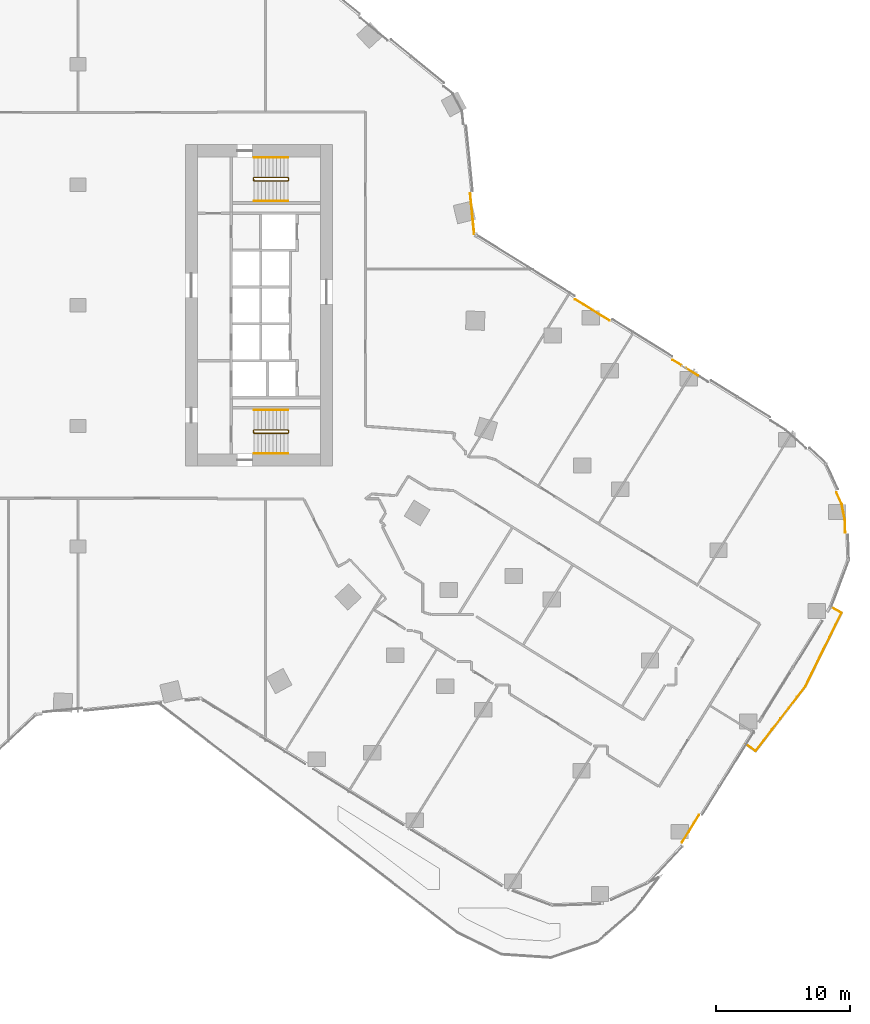
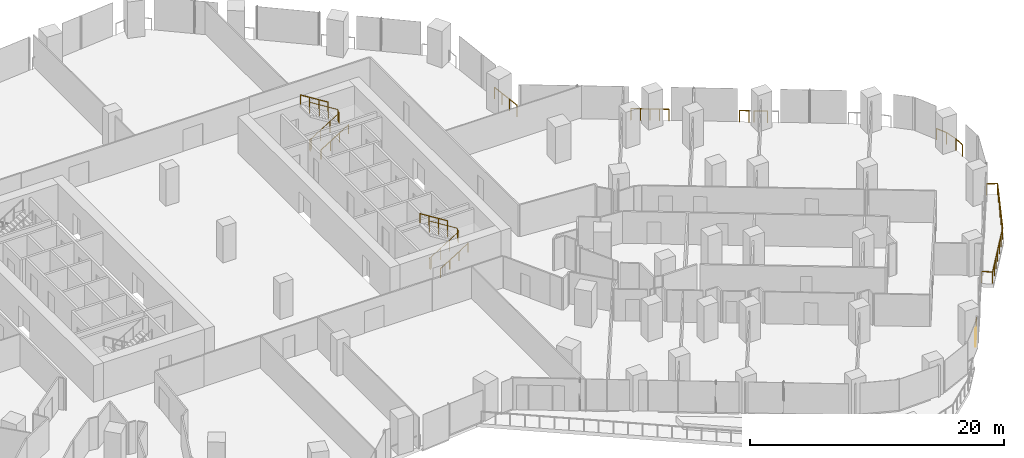
# One storey, part 32 of 34: 15 railings.
"""IFC4 building model written with IfcOpenShell, lengths in metres."""

from ifc_helpers import new_model, si_unit, direction, frame, origin, origin_2d, place, context, subcontext, project, spatial, circle, extrude, material, type_object, element, save


model = new_model("IFC4")

# Units and contexts
model_context = context("Model", 3, precision=1e-05, world=origin(), true_north=direction((0.0, 1.0)))
body_context = subcontext(model_context, "Body", "Model", "MODEL_VIEW")
ifc_project = project(units=[si_unit("LENGTHUNIT", "METRE"), si_unit("AREAUNIT", "SQUARE_METRE"), si_unit("VOLUMEUNIT", "CUBIC_METRE"), si_unit("PLANEANGLEUNIT", "RADIAN"), si_unit("MASSUNIT", "GRAM", prefix="KILO")], contexts=[model_context])

# Site, building, storey
site_placement = place(None, origin())
site = spatial("IfcSite", under=ifc_project, at=site_placement, CompositionType="ELEMENT")
building_placement = place(site_placement, origin())
building = spatial("IfcBuilding", under=site, at=building_placement, Name="Orlundy Tower", CompositionType="ELEMENT")
storey_placement = place(building_placement, frame((0.0, 0.0, 37.300048828125)))
storey = spatial("IfcBuildingStorey", under=building, at=storey_placement, Name="L07", CompositionType="ELEMENT", Elevation=37.300048828125)

# Railings
ifc_material_1 = material(Name="Steel balustrade", Category="steel")
railing_type_1 = type_object("IfcRailingType", Name="Stair Guard 1100", PredefinedType="GUARDRAIL", material=ifc_material_1)
railing_1_placement = place(storey_placement, frame((13.090087890625, -9.5, 0.0)))
element("IfcRailing", 1, at=railing_1_placement, inside=storey, type_object=railing_type_1, Name="L07 ST-E1 stair guard 1", PredefinedType="GUARDRAIL", context=body_context, shape_type="SweptSolid", body=[
    extrude(circle(Radius=0.02392578125, at=origin_2d()), frame((0.0, 0.0, 1.076171875), z_axis=(0.0, 1.0, 0.0), x_axis=(-1.0, 0.0, 0.0)), (0.0, 0.0, 1.0), 0.14990234375),
    extrude(circle(Radius=0.02392578125, at=origin_2d()), frame((0.0, 0.14990234375, 1.076171875), z_axis=(0.18420542264, -0.739530593833, 0.647427882513), x_axis=(0.970351222016, 0.241699205484, 0.0)), (0.0, 0.0, 1.0), 0.270263671875),
    extrude(circle(Radius=0.02392578125, at=origin_2d()), frame((0.0498046875, -0.050048828125, 1.2509765625), z_axis=(0.848007534815, 0.0, 0.529984170421), x_axis=(0.0, 1.0, 0.0)), (0.0, 0.0, 1.0), 2.9716796875),
    extrude(circle(Radius=0.02392578125, at=origin_2d()), frame((2.56982421875, -0.050048828125, 2.826171875), z_axis=(0.707106781187, 0.707106781187, 0.0), x_axis=(-0.707106781187, 0.707106781187, 0.0)), (0.0, 0.0, 1.0), 0.07080078125),
    extrude(circle(Radius=0.02392578125, at=origin_2d()), frame((2.619873046875, 0.0, 2.826171875), z_axis=(0.0, 1.0, 0.0), x_axis=(-1.0, 0.0, 0.0)), (0.0, 0.0, 1.0), 0.14990234375),
    extrude(circle(Radius=0.02392578125, at=origin_2d()), frame((2.619873046875, 0.14990234375, 2.826171875), z_axis=(-0.265065253269, 0.265065253269, 0.927081885822), x_axis=(-0.707106781187, -0.707106781187, 0.0)), (0.0, 0.0, 1.0), 0.188720703125),
    extrude(circle(Radius=0.02392578125, at=origin_2d()), frame((2.56982421875, 0.199951171875, 3.0009765625), z_axis=(-0.848007534815, 0.0, 0.529984170421), x_axis=(0.0, -1.0, 0.0)), (0.0, 0.0, 1.0), 2.9716796875),
    extrude(circle(Radius=0.02099609375, at=origin_2d()), origin(), (0.0, 0.0, 1.0), 1.052001953125),
    extrude(circle(Radius=0.02099609375, at=origin_2d()), frame((0.0, 0.14990234375, 0.0)), (0.0, 0.0, 1.0), 1.052001953125),
    extrude(circle(Radius=0.02099609375, at=origin_2d()), frame((0.0498046875, -0.050048828125, 0.175048828125)), (0.0, 0.0, 1.0), 1.052001953125),
    extrude(circle(Radius=0.02099609375, at=origin_2d()), frame((0.889892578125, -0.050048828125, 0.699951171875)), (0.0, 0.0, 1.0), 1.052001953125),
    extrude(circle(Radius=0.02099609375, at=origin_2d()), frame((1.729736328125, -0.050048828125, 1.22509765625)), (0.0, 0.0, 1.0), 1.052001953125),
    extrude(circle(Radius=0.02099609375, at=origin_2d()), frame((2.56982421875, -0.050048828125, 1.75)), (0.0, 0.0, 1.0), 1.052001953125),
    extrude(circle(Radius=0.02099609375, at=origin_2d()), frame((2.619873046875, 0.0, 1.75)), (0.0, 0.0, 1.0), 1.052001953125),
    extrude(circle(Radius=0.02099609375, at=origin_2d()), frame((2.619873046875, 0.14990234375, 1.75)), (0.0, 0.0, 1.0), 1.052001953125),
    extrude(circle(Radius=0.02099609375, at=origin_2d()), frame((2.56982421875, 0.199951171875, 1.925048828125)), (0.0, 0.0, 1.0), 1.052001953125),
    extrude(circle(Radius=0.02099609375, at=origin_2d()), frame((1.729736328125, 0.199951171875, 2.449951171875)), (0.0, 0.0, 1.0), 1.052001953125),
    extrude(circle(Radius=0.02099609375, at=origin_2d()), frame((0.889892578125, 0.199951171875, 2.97509765625)), (0.0, 0.0, 1.0), 1.052001953125),
    extrude(circle(Radius=0.02099609375, at=origin_2d()), frame((0.0498046875, 0.199951171875, 3.5)), (0.0, 0.0, 1.0), 1.052001953125),
])
railing_2_placement = place(storey_placement, frame((13.090087890625, 9.35009765625, 0.0)))
element("IfcRailing", 2, at=railing_2_placement, inside=storey, type_object=railing_type_1, Name="L07 ST-E2 stair guard 1", PredefinedType="GUARDRAIL", context=body_context, shape_type="SweptSolid", body=[
    extrude(circle(Radius=0.02392578125, at=origin_2d()), frame((0.0, 0.0, 1.076171875), z_axis=(0.0, 1.0, 0.0), x_axis=(-1.0, 0.0, 0.0)), (0.0, 0.0, 1.0), 0.14990234375),
    extrude(circle(Radius=0.02392578125, at=origin_2d()), frame((0.0, 0.14990234375, 1.076171875), z_axis=(0.18420542264, -0.739530593833, 0.647427882513), x_axis=(0.970351222016, 0.241699205484, 0.0)), (0.0, 0.0, 1.0), 0.270263671875),
    extrude(circle(Radius=0.02392578125, at=origin_2d()), frame((0.0498046875, -0.050048828125, 1.2509765625), z_axis=(0.848007534815, 0.0, 0.529984170421), x_axis=(0.0, 1.0, 0.0)), (0.0, 0.0, 1.0), 2.9716796875),
    extrude(circle(Radius=0.02392578125, at=origin_2d()), frame((2.56982421875, -0.050048828125, 2.826171875), z_axis=(0.707106781187, 0.707106781187, 0.0), x_axis=(-0.707106781187, 0.707106781187, 0.0)), (0.0, 0.0, 1.0), 0.07080078125),
    extrude(circle(Radius=0.02392578125, at=origin_2d()), frame((2.619873046875, 0.0, 2.826171875), z_axis=(0.0, 1.0, 0.0), x_axis=(-1.0, 0.0, 0.0)), (0.0, 0.0, 1.0), 0.14990234375),
    extrude(circle(Radius=0.02392578125, at=origin_2d()), frame((2.619873046875, 0.14990234375, 2.826171875), z_axis=(-0.265065253269, 0.265065253269, 0.927081885822), x_axis=(-0.707106781187, -0.707106781187, 0.0)), (0.0, 0.0, 1.0), 0.188720703125),
    extrude(circle(Radius=0.02392578125, at=origin_2d()), frame((2.56982421875, 0.199951171875, 3.0009765625), z_axis=(-0.848007534815, 0.0, 0.529984170421), x_axis=(0.0, -1.0, 0.0)), (0.0, 0.0, 1.0), 2.9716796875),
    extrude(circle(Radius=0.02099609375, at=origin_2d()), origin(), (0.0, 0.0, 1.0), 1.052001953125),
    extrude(circle(Radius=0.02099609375, at=origin_2d()), frame((0.0, 0.14990234375, 0.0)), (0.0, 0.0, 1.0), 1.052001953125),
    extrude(circle(Radius=0.02099609375, at=origin_2d()), frame((0.0498046875, -0.050048828125, 0.175048828125)), (0.0, 0.0, 1.0), 1.052001953125),
    extrude(circle(Radius=0.02099609375, at=origin_2d()), frame((0.889892578125, -0.050048828125, 0.699951171875)), (0.0, 0.0, 1.0), 1.052001953125),
    extrude(circle(Radius=0.02099609375, at=origin_2d()), frame((1.729736328125, -0.050048828125, 1.22509765625)), (0.0, 0.0, 1.0), 1.052001953125),
    extrude(circle(Radius=0.02099609375, at=origin_2d()), frame((2.56982421875, -0.050048828125, 1.75)), (0.0, 0.0, 1.0), 1.052001953125),
    extrude(circle(Radius=0.02099609375, at=origin_2d()), frame((2.619873046875, 0.0, 1.75)), (0.0, 0.0, 1.0), 1.052001953125),
    extrude(circle(Radius=0.02099609375, at=origin_2d()), frame((2.619873046875, 0.14990234375, 1.75)), (0.0, 0.0, 1.0), 1.052001953125),
    extrude(circle(Radius=0.02099609375, at=origin_2d()), frame((2.56982421875, 0.199951171875, 1.925048828125)), (0.0, 0.0, 1.0), 1.052001953125),
    extrude(circle(Radius=0.02099609375, at=origin_2d()), frame((1.729736328125, 0.199951171875, 2.449951171875)), (0.0, 0.0, 1.0), 1.052001953125),
    extrude(circle(Radius=0.02099609375, at=origin_2d()), frame((0.889892578125, 0.199951171875, 2.97509765625)), (0.0, 0.0, 1.0), 1.052001953125),
    extrude(circle(Radius=0.02099609375, at=origin_2d()), frame((0.0498046875, 0.199951171875, 3.5)), (0.0, 0.0, 1.0), 1.052001953125),
])
ifc_material_2 = material(Name="Steel handrail", Category="steel")
railing_type_2 = type_object("IfcRailingType", Name="Stair Handrail 900", PredefinedType="HANDRAIL", material=ifc_material_2)
railing_3_placement = place(storey_placement, frame((13.139892578125, -11.050048828125, 0.175048828125)))
element("IfcRailing", 3, at=railing_3_placement, inside=storey, type_object=railing_type_2, Name="L07 ST-E1 stair handrail 1", PredefinedType="HANDRAIL", context=body_context, shape_type="SweptSolid", body=[
    extrude(circle(Radius=0.02392578125, at=origin_2d()), frame((0.0, 0.0, 0.8759765625), z_axis=(0.848007534815, 0.0, 0.529984170421), x_axis=(0.0, 1.0, 0.0)), (0.0, 0.0, 1.0), 2.9716796875),
    extrude(circle(Radius=0.02099609375, at=origin_2d()), origin(), (0.0, 0.0, 1.0), 0.851806640625),
    extrude(circle(Radius=0.02099609375, at=origin_2d()), frame((0.840087890625, 0.0, 0.52490234375)), (0.0, 0.0, 1.0), 0.851806640625),
    extrude(circle(Radius=0.02099609375, at=origin_2d()), frame((1.679931640625, 0.0, 1.050048828125)), (0.0, 0.0, 1.0), 0.851806640625),
    extrude(circle(Radius=0.02099609375, at=origin_2d()), frame((2.52001953125, 0.0, 1.574951171875)), (0.0, 0.0, 1.0), 0.851806640625),
])
railing_4_placement = place(storey_placement, frame((15.659912109375, -7.800048828125, 1.925048828125)))
element("IfcRailing", 4, at=railing_4_placement, inside=storey, type_object=railing_type_2, Name="L07 ST-E1 stair handrail 2", PredefinedType="HANDRAIL", context=body_context, shape_type="SweptSolid", body=[
    extrude(circle(Radius=0.02392578125, at=origin_2d()), frame((0.0, 0.0, 0.8759765625), z_axis=(-0.848007534815, 0.0, 0.529984170421), x_axis=(0.0, -1.0, 0.0)), (0.0, 0.0, 1.0), 2.9716796875),
    extrude(circle(Radius=0.02099609375, at=origin_2d()), origin(), (0.0, 0.0, 1.0), 0.851806640625),
    extrude(circle(Radius=0.02099609375, at=origin_2d()), frame((-0.840087890625, 0.0, 0.52490234375)), (0.0, 0.0, 1.0), 0.851806640625),
    extrude(circle(Radius=0.02099609375, at=origin_2d()), frame((-1.679931640625, 0.0, 1.050048828125)), (0.0, 0.0, 1.0), 0.851806640625),
    extrude(circle(Radius=0.02099609375, at=origin_2d()), frame((-2.52001953125, 0.0, 1.574951171875)), (0.0, 0.0, 1.0), 0.851806640625),
])
railing_5_placement = place(storey_placement, frame((13.139892578125, 7.800048828125, 0.175048828125)))
element("IfcRailing", 5, at=railing_5_placement, inside=storey, type_object=railing_type_2, Name="L07 ST-E2 stair handrail 1", PredefinedType="HANDRAIL", context=body_context, shape_type="SweptSolid", body=[
    extrude(circle(Radius=0.02392578125, at=origin_2d()), frame((0.0, 0.0, 0.8759765625), z_axis=(0.848007534815, 0.0, 0.529984170421), x_axis=(0.0, 1.0, 0.0)), (0.0, 0.0, 1.0), 2.9716796875),
    extrude(circle(Radius=0.02099609375, at=origin_2d()), origin(), (0.0, 0.0, 1.0), 0.851806640625),
    extrude(circle(Radius=0.02099609375, at=origin_2d()), frame((0.840087890625, 0.0, 0.52490234375)), (0.0, 0.0, 1.0), 0.851806640625),
    extrude(circle(Radius=0.02099609375, at=origin_2d()), frame((1.679931640625, 0.0, 1.050048828125)), (0.0, 0.0, 1.0), 0.851806640625),
    extrude(circle(Radius=0.02099609375, at=origin_2d()), frame((2.52001953125, 0.0, 1.574951171875)), (0.0, 0.0, 1.0), 0.851806640625),
])
railing_6_placement = place(storey_placement, frame((15.659912109375, 11.050048828125, 1.925048828125)))
element("IfcRailing", 6, at=railing_6_placement, inside=storey, type_object=railing_type_2, Name="L07 ST-E2 stair handrail 2", PredefinedType="HANDRAIL", context=body_context, shape_type="SweptSolid", body=[
    extrude(circle(Radius=0.02392578125, at=origin_2d()), frame((0.0, 0.0, 0.8759765625), z_axis=(-0.848007534815, 0.0, 0.529984170421), x_axis=(0.0, -1.0, 0.0)), (0.0, 0.0, 1.0), 2.9716796875),
    extrude(circle(Radius=0.02099609375, at=origin_2d()), origin(), (0.0, 0.0, 1.0), 0.851806640625),
    extrude(circle(Radius=0.02099609375, at=origin_2d()), frame((-0.840087890625, 0.0, 0.52490234375)), (0.0, 0.0, 1.0), 0.851806640625),
    extrude(circle(Radius=0.02099609375, at=origin_2d()), frame((-1.679931640625, 0.0, 1.050048828125)), (0.0, 0.0, 1.0), 0.851806640625),
    extrude(circle(Radius=0.02099609375, at=origin_2d()), frame((-2.52001953125, 0.0, 1.574951171875)), (0.0, 0.0, 1.0), 0.851806640625),
])
ifc_material_3 = material(Name="Stainless steel bronze finish", Category="steel")
railing_type_3 = type_object("IfcRailingType", Name="TG1 terrace guard", PredefinedType="GUARDRAIL", material=ifc_material_3)
railing_7_placement = place(storey_placement, frame((56.618896484375, -13.95458984375, 0.0)))
element("IfcRailing", 7, at=railing_7_placement, inside=storey, type_object=railing_type_3, Name="Guard TG-L07-E04", PredefinedType="GUARDRAIL", context=body_context, shape_type="SweptSolid", body=[
    extrude(circle(Radius=0.02490234375, at=origin_2d()), frame((0.0, 0.0, 1.09521484375), z_axis=(0.413238494866, -0.910622834307, 0.0), x_axis=(0.910622834307, 0.413238494866, 0.0)), (0.0, 0.0, 1.0), 0.977783203125),
    extrude(circle(Radius=0.02490234375, at=origin_2d()), frame((0.404052734375, -0.890380859375, 1.09521484375), z_axis=(0.193693180655, -0.981062154895, 0.0), x_axis=(0.981062154895, 0.193693180655, 0.0)), (0.0, 0.0, 1.0), 1.182373046875),
    extrude(circle(Radius=0.02490234375, at=origin_2d()), frame((0.633056640625, -2.05029296875, 1.09521484375), z_axis=(0.033516207049, -0.999438174108, 0.0), x_axis=(0.999438174108, 0.033516207049, 0.0)), (0.0, 0.0, 1.0), 0.96875),
    extrude(circle(Radius=0.02001953125, at=origin_2d()), origin(), (0.0, 0.0, 1.0), 1.070068359375),
    extrude(circle(Radius=0.02001953125, at=origin_2d()), frame((0.404052734375, -0.890380859375, 0.0)), (0.0, 0.0, 1.0), 1.070068359375),
    extrude(circle(Radius=0.02001953125, at=origin_2d()), frame((0.633056640625, -2.05029296875, 0.0)), (0.0, 0.0, 1.0), 1.070068359375),
    extrude(circle(Radius=0.02001953125, at=origin_2d()), frame((0.66552734375, -3.0185546875, 0.0)), (0.0, 0.0, 1.0), 1.070068359375),
])
railing_8_placement = place(storey_placement, frame((29.278076171875, 8.353515625, 0.0)))
element("IfcRailing", 8, at=railing_8_placement, inside=storey, type_object=railing_type_3, Name="Guard TG-L07-E05", PredefinedType="GUARDRAIL", context=body_context, shape_type="SweptSolid", body=[
    extrude(circle(Radius=0.02490234375, at=origin_2d()), frame((0.0, 0.0, 1.09521484375), z_axis=(0.098714456767, -0.995115800309, 0.0), x_axis=(0.995115800309, 0.098714456767, 0.0)), (0.0, 0.0, 1.0), 3.0322265625),
    extrude(circle(Radius=0.02001953125, at=origin_2d()), origin(), (0.0, 0.0, 1.0), 1.070068359375),
    extrude(circle(Radius=0.02001953125, at=origin_2d()), frame((0.099853515625, -1.005859375, 0.0)), (0.0, 0.0, 1.0), 1.070068359375),
    extrude(circle(Radius=0.02001953125, at=origin_2d()), frame((0.199462890625, -2.011474609375, 0.0)), (0.0, 0.0, 1.0), 1.070068359375),
    extrude(circle(Radius=0.02001953125, at=origin_2d()), frame((0.29931640625, -3.017333984375, 0.0)), (0.0, 0.0, 1.0), 1.070068359375),
])
railing_9_placement = place(storey_placement, frame((38.39599609375, -0.343994140625, 0.0)))
element("IfcRailing", 9, at=railing_9_placement, inside=storey, type_object=railing_type_3, Name="Guard TG-L07-E09", PredefinedType="GUARDRAIL", context=body_context, shape_type="SweptSolid", body=[
    extrude(circle(Radius=0.02490234375, at=origin_2d()), frame((0.0, 0.0, 1.09521484375), z_axis=(0.849619958262, -0.527395417617, 0.0), x_axis=(0.527395417617, 0.849619958262, 0.0)), (0.0, 0.0, 1.0), 1.493408203125),
    extrude(circle(Radius=0.02001953125, at=origin_2d()), origin(), (0.0, 0.0, 1.0), 1.070068359375),
    extrude(circle(Radius=0.02001953125, at=origin_2d()), frame((0.63427734375, -0.393798828125, 0.0)), (0.0, 0.0, 1.0), 1.070068359375),
    extrude(circle(Radius=0.02001953125, at=origin_2d()), frame((1.268798828125, -0.78759765625, 0.0)), (0.0, 0.0, 1.0), 1.070068359375),
])
railing_10_placement = place(storey_placement, frame((45.60400390625, -39.274658203125, 0.0)))
element("IfcRailing", 10, at=railing_10_placement, inside=storey, type_object=railing_type_3, Name="Guard TG-L07-E020", PredefinedType="GUARDRAIL", context=body_context, shape_type="SweptSolid", body=[
    extrude(circle(Radius=0.02490234375, at=origin_2d()), frame((0.0, 0.0, 1.09521484375), z_axis=(-0.527461394369, -0.849579000123, 0.0), x_axis=(0.849579000123, -0.527461394369, 0.0)), (0.0, 0.0, 1.0), 0.98681640625),
    extrude(circle(Radius=0.02001953125, at=origin_2d()), origin(), (0.0, 0.0, 1.0), 1.070068359375),
    extrude(circle(Radius=0.02001953125, at=origin_2d()), frame((-0.5205078125, -0.83837890625, 0.0)), (0.0, 0.0, 1.0), 1.070068359375),
])
railing_11_placement = place(storey_placement, frame((37.10986328125, 0.45458984375, 0.0)))
element("IfcRailing", 11, at=railing_11_placement, inside=storey, type_object=railing_type_3, Name="Guard TG-L07-E021", PredefinedType="GUARDRAIL", context=body_context, shape_type="SweptSolid", body=[
    extrude(circle(Radius=0.02490234375, at=origin_2d()), frame((0.0, 0.0, 1.09521484375), z_axis=(0.849552945982, -0.52750335731, 0.0), x_axis=(0.52750335731, 0.849552945982, 0.0)), (0.0, 0.0, 1.0), 1.513916015625),
    extrude(circle(Radius=0.02001953125, at=origin_2d()), origin(), (0.0, 0.0, 1.0), 1.070068359375),
    extrude(circle(Radius=0.02001953125, at=origin_2d()), frame((0.64306640625, -0.3994140625, 0.0)), (0.0, 0.0, 1.0), 1.070068359375),
    extrude(circle(Radius=0.02001953125, at=origin_2d()), frame((1.2861328125, -0.798583984375, 0.0)), (0.0, 0.0, 1.0), 1.070068359375),
])
railing_12_placement = place(storey_placement, frame((46.358154296875, -38.059814453125, 0.0)))
element("IfcRailing", 12, at=railing_12_placement, inside=storey, type_object=railing_type_3, Name="Guard TG-L07-E022", PredefinedType="GUARDRAIL", context=body_context, shape_type="SweptSolid", body=[
    extrude(circle(Radius=0.02490234375, at=origin_2d()), frame((0.0, 0.0, 1.09521484375), z_axis=(-0.527418113242, -0.849605869697, 0.0), x_axis=(0.849605869697, -0.527418113242, 0.0)), (0.0, 0.0, 1.0), 1.429931640625),
    extrude(circle(Radius=0.02001953125, at=origin_2d()), origin(), (0.0, 0.0, 1.0), 1.070068359375),
    extrude(circle(Radius=0.02001953125, at=origin_2d()), frame((-0.376953125, -0.607421875, 0.0)), (0.0, 0.0, 1.0), 1.070068359375),
    extrude(circle(Radius=0.02001953125, at=origin_2d()), frame((-0.754150390625, -1.21484375, 0.0)), (0.0, 0.0, 1.0), 1.070068359375),
])
railing_13_placement = place(storey_placement, frame((45.3798828125, -4.6796875, 0.0)))
element("IfcRailing", 13, at=railing_13_placement, inside=storey, type_object=railing_type_3, Name="Guard TG-L07-E027", PredefinedType="GUARDRAIL", context=body_context, shape_type="SweptSolid", body=[
    extrude(circle(Radius=0.02490234375, at=origin_2d()), frame((0.0, 0.0, 1.09521484375), z_axis=(0.849477082514, -0.527625517089, 0.0), x_axis=(0.527625517089, 0.849477082514, 0.0)), (0.0, 0.0, 1.0), 1.064208984375),
    extrude(circle(Radius=0.02001953125, at=origin_2d()), origin(), (0.0, 0.0, 1.0), 1.070068359375),
    extrude(circle(Radius=0.02001953125, at=origin_2d()), frame((0.904052734375, -0.5615234375, 0.0)), (0.0, 0.0, 1.0), 1.070068359375),
])
railing_14_placement = place(storey_placement, frame((44.39306640625, -4.067138671875, 0.0)))
element("IfcRailing", 14, at=railing_14_placement, inside=storey, type_object=railing_type_3, Name="Guard TG-L07-E028", PredefinedType="GUARDRAIL", context=body_context, shape_type="SweptSolid", body=[
    extrude(circle(Radius=0.02490234375, at=origin_2d()), frame((0.0, 0.0, 1.09521484375), z_axis=(0.849615397139, -0.527402765394, 0.0), x_axis=(0.527402765394, 0.849615397139, 0.0)), (0.0, 0.0, 1.0), 0.761474609375),
    extrude(circle(Radius=0.02001953125, at=origin_2d()), origin(), (0.0, 0.0, 1.0), 1.070068359375),
    extrude(circle(Radius=0.02001953125, at=origin_2d()), frame((0.64697265625, -0.401611328125, 0.0)), (0.0, 0.0, 1.0), 1.070068359375),
])
railing_15_placement = place(storey_placement, frame((56.235107421875, -22.5283203125, 0.0)))
element("IfcRailing", 15, at=railing_15_placement, inside=storey, type_object=railing_type_3, Name="Guard TG-L07-00", PredefinedType="GUARDRAIL", context=body_context, shape_type="SweptSolid", body=[
    extrude(circle(Radius=0.02490234375, at=origin_2d()), frame((0.0, 0.0, 1.09521484375), z_axis=(0.874755366966, -0.484564802647, 0.0), x_axis=(0.484564802647, 0.874755366966, 0.0)), (0.0, 0.0, 1.0), 0.884765625),
    extrude(circle(Radius=0.02490234375, at=origin_2d()), frame((0.77392578125, -0.4287109375, 1.09521484375), z_axis=(-0.441859885284, -0.897084077318, 0.0), x_axis=(0.897084077318, -0.441859885284, 0.0)), (0.0, 0.0, 1.0), 6.119873046875),
    extrude(circle(Radius=0.02490234375, at=origin_2d()), frame((-1.93017578125, -5.918701171875, 1.09521484375), z_axis=(-0.608710848818, -0.793392149275, 0.0), x_axis=(0.793392149275, -0.608710848818, 0.0)), (0.0, 0.0, 1.0), 6.091552734375),
    extrude(circle(Radius=0.02490234375, at=origin_2d()), frame((-5.63818359375, -10.751708984375, 1.09521484375), z_axis=(-0.822591224786, 0.568633165499, 0.0), x_axis=(-0.568633165499, -0.822591224786, 0.0)), (0.0, 0.0, 1.0), 0.880615234375),
    extrude(circle(Radius=0.02001953125, at=origin_2d()), origin(), (0.0, 0.0, 1.0), 1.070068359375),
    extrude(circle(Radius=0.02001953125, at=origin_2d()), frame((0.77392578125, -0.4287109375, 0.0)), (0.0, 0.0, 1.0), 1.070068359375),
    extrude(circle(Radius=0.02001953125, at=origin_2d()), frame((0.3232421875, -1.34375, 0.0)), (0.0, 0.0, 1.0), 1.070068359375),
    extrude(circle(Radius=0.02001953125, at=origin_2d()), frame((-0.12744140625, -2.2587890625, 0.0)), (0.0, 0.0, 1.0), 1.070068359375),
    extrude(circle(Radius=0.02001953125, at=origin_2d()), frame((-0.578125, -3.173828125, 0.0)), (0.0, 0.0, 1.0), 1.070068359375),
    extrude(circle(Radius=0.02001953125, at=origin_2d()), frame((-1.02880859375, -4.088623046875, 0.0)), (0.0, 0.0, 1.0), 1.070068359375),
    extrude(circle(Radius=0.02001953125, at=origin_2d()), frame((-1.4794921875, -5.003662109375, 0.0)), (0.0, 0.0, 1.0), 1.070068359375),
    extrude(circle(Radius=0.02001953125, at=origin_2d()), frame((-1.93017578125, -5.918701171875, 0.0)), (0.0, 0.0, 1.0), 1.070068359375),
    extrude(circle(Radius=0.02001953125, at=origin_2d()), frame((-2.548095703125, -6.72412109375, 0.0)), (0.0, 0.0, 1.0), 1.070068359375),
    extrude(circle(Radius=0.02001953125, at=origin_2d()), frame((-3.166259765625, -7.52978515625, 0.0)), (0.0, 0.0, 1.0), 1.070068359375),
    extrude(circle(Radius=0.02001953125, at=origin_2d()), frame((-3.7841796875, -8.335205078125, 0.0)), (0.0, 0.0, 1.0), 1.070068359375),
    extrude(circle(Radius=0.02001953125, at=origin_2d()), frame((-4.402099609375, -9.140625, 0.0)), (0.0, 0.0, 1.0), 1.070068359375),
    extrude(circle(Radius=0.02001953125, at=origin_2d()), frame((-5.020263671875, -9.9462890625, 0.0)), (0.0, 0.0, 1.0), 1.070068359375),
    extrude(circle(Radius=0.02001953125, at=origin_2d()), frame((-5.63818359375, -10.751708984375, 0.0)), (0.0, 0.0, 1.0), 1.070068359375),
    extrude(circle(Radius=0.02001953125, at=origin_2d()), frame((-6.362548828125, -10.2509765625, 0.0)), (0.0, 0.0, 1.0), 1.070068359375),
])

save(model, "model.ifc")
